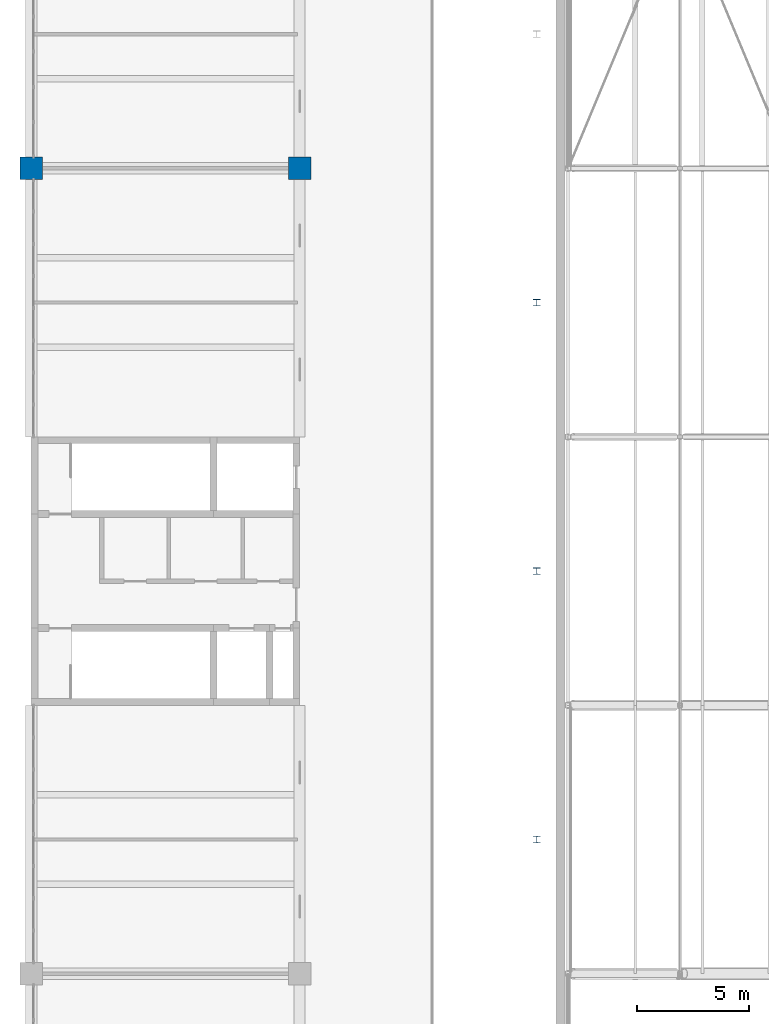
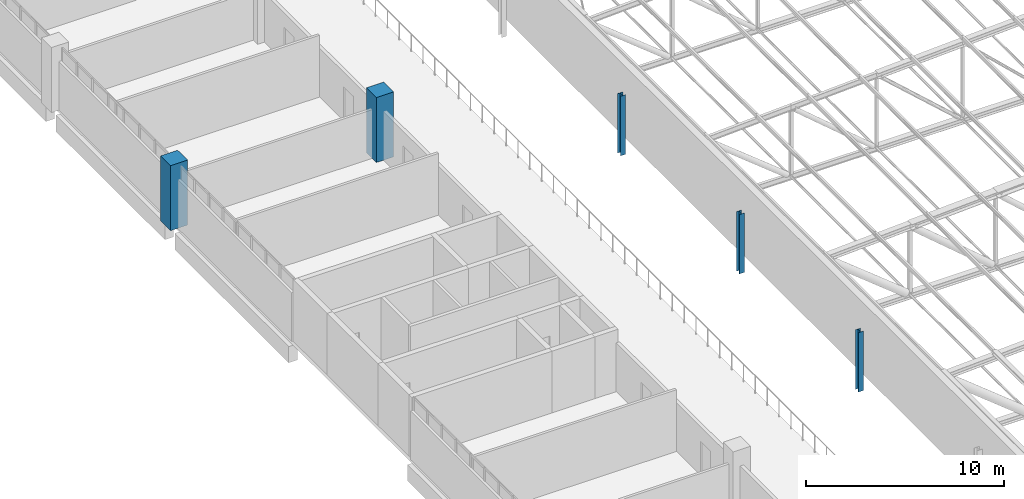
# One storey, part 4 of 156: 5 columns.
"""IFC4 building model written with IfcOpenShell, lengths in metres."""

from ifc_helpers import new_model, si_unit, direction, frame, origin, origin_2d, place, context, subcontext, project, spatial, rectangle, i_section, extrude, material, material_profile, profile_set, type_object, element, save


model = new_model("IFC4")

# Units and contexts
model_context = context("Model", 3, precision=1e-05, world=origin(), true_north=direction((0.0, 1.0)))
body_context = subcontext(model_context, "Body", "Model", "MODEL_VIEW")
ifc_project = project(units=[si_unit("LENGTHUNIT", "METRE"), si_unit("AREAUNIT", "SQUARE_METRE"), si_unit("VOLUMEUNIT", "CUBIC_METRE"), si_unit("PLANEANGLEUNIT", "RADIAN"), si_unit("MASSUNIT", "GRAM", prefix="KILO")], contexts=[model_context])

# Site, building, storey
site_placement = place(None, origin())
site = spatial("IfcSite", under=ifc_project, at=site_placement, CompositionType="ELEMENT")
building_placement = place(site_placement, origin())
building = spatial("IfcBuilding", under=site, at=building_placement, Name="Lilac Gate Convention Centre", CompositionType="ELEMENT")
storey_placement = place(building_placement, frame((0.0, 0.0, 17.0)))
storey = spatial("IfcBuildingStorey", under=building, at=storey_placement, Name="L03", CompositionType="ELEMENT", Elevation=17.0)

# Columns
ifc_material_1 = material(Name="Concrete C40", Category="concrete")
ifc_material_profile_1 = material_profile(ifc_material_1, rectangle(XDim=1.0, YDim=1.0, at=origin_2d()), Name="RC 1000x1000")
ifc_profile_set_1 = profile_set([ifc_material_profile_1], Name="Concrete C40")
column_type_1 = type_object("IfcColumnType", Name="RC column 1000x1000 C40", PredefinedType="COLUMN", material=ifc_profile_set_1)
for number, where, z_axis, x_axis, name in (
    (1, (6.0, 174.0, 0.0), (0.0, 0.0, 1.0), (1.0, 0.0, 0.0), "C1 L03 at 1/N"),
    (2, (18.0, 174.0, 0.0), (0.0, 0.0, 1.0), (1.0, 0.0, 0.0), "C1 L03 at 2/N"),
):
    element("IfcColumn", number, at=place(storey_placement, frame(where, z_axis=z_axis, x_axis=x_axis)), inside=storey, type_object=column_type_1, Name=name, PredefinedType="COLUMN", context=body_context, shape_type="SweptSolid", body=[
        extrude(rectangle(XDim=1.0, YDim=1.0, at=origin_2d()), origin(), (0.0, 0.0, 1.0), 4.0),
    ])
ifc_material_2 = material(Name="Steel Q355B", Category="steel")
ifc_material_profile_2 = material_profile(ifc_material_2, i_section(OverallWidth=0.300048828125, OverallDepth=0.300048828125, WebThickness=0.010009765625, FlangeThickness=0.014892578125, FilletRadius=0.012939453125, at=origin_2d()), Name="HW300x300x10x15")
ifc_profile_set_2 = profile_set([ifc_material_profile_2], Name="Steel Q355B")
column_type_2 = type_object("IfcColumnType", Name="Steel column HW300x300x10x15", PredefinedType="COLUMN", material=ifc_profile_set_2)
for number, where, z_axis, x_axis, name in (
    (3, (28.60009765625, 144.0, 0.0), (0.0, 0.0, 1.0), (1.0, 0.0, 0.0), "SC1 L03 atrium column at 144"),
    (4, (28.60009765625, 156.0, 0.0), (0.0, 0.0, 1.0), (1.0, 0.0, 0.0), "SC1 L03 atrium column at 156"),
    (5, (28.60009765625, 168.0, 0.0), (0.0, 0.0, 1.0), (1.0, 0.0, 0.0), "SC1 L03 atrium column at 168"),
):
    element("IfcColumn", number, at=place(storey_placement, frame(where, z_axis=z_axis, x_axis=x_axis)), inside=storey, type_object=column_type_2, Name=name, PredefinedType="COLUMN", context=body_context, shape_type="SweptSolid", body=[
        extrude(i_section(OverallWidth=0.300048828125, OverallDepth=0.300048828125, WebThickness=0.010009765625, FlangeThickness=0.014892578125, FilletRadius=0.012939453125, at=origin_2d()), origin(), (0.0, 0.0, 1.0), 3.659912109375),
    ])

save(model, "model.ifc")
